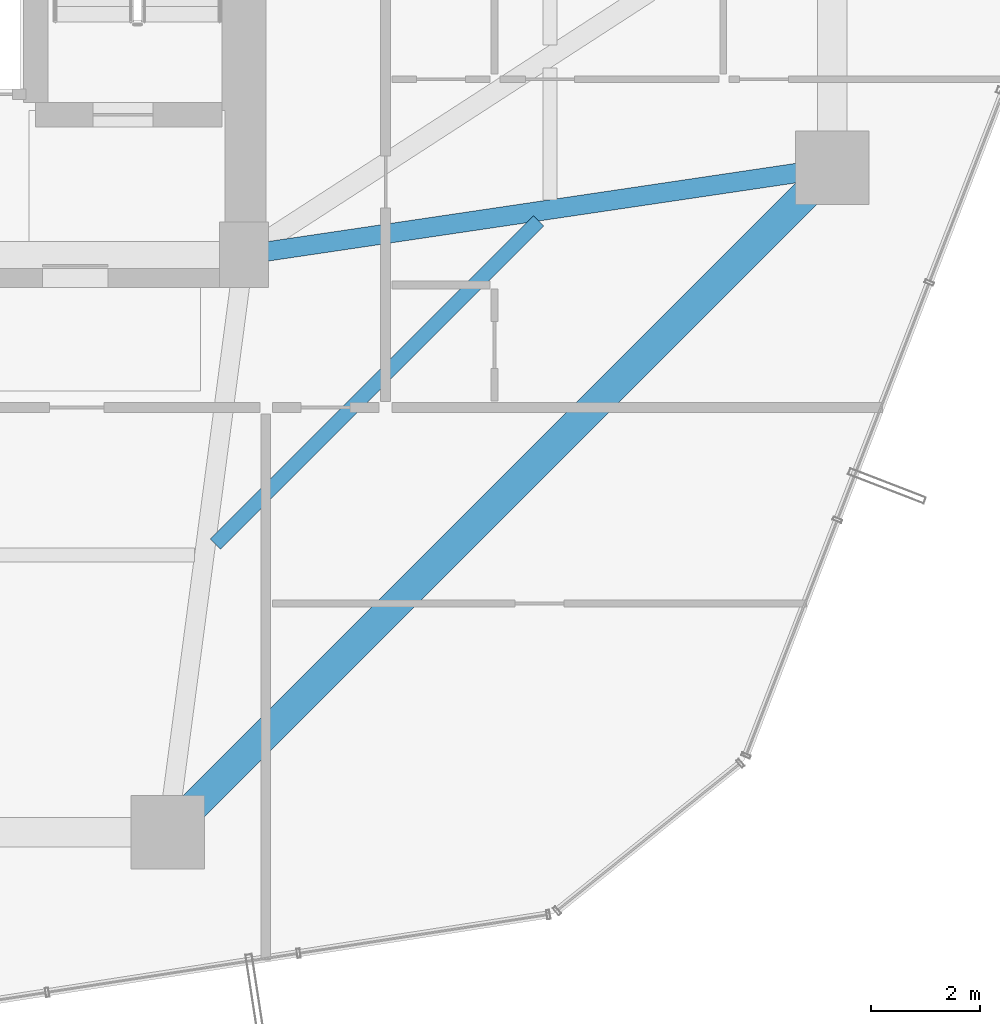
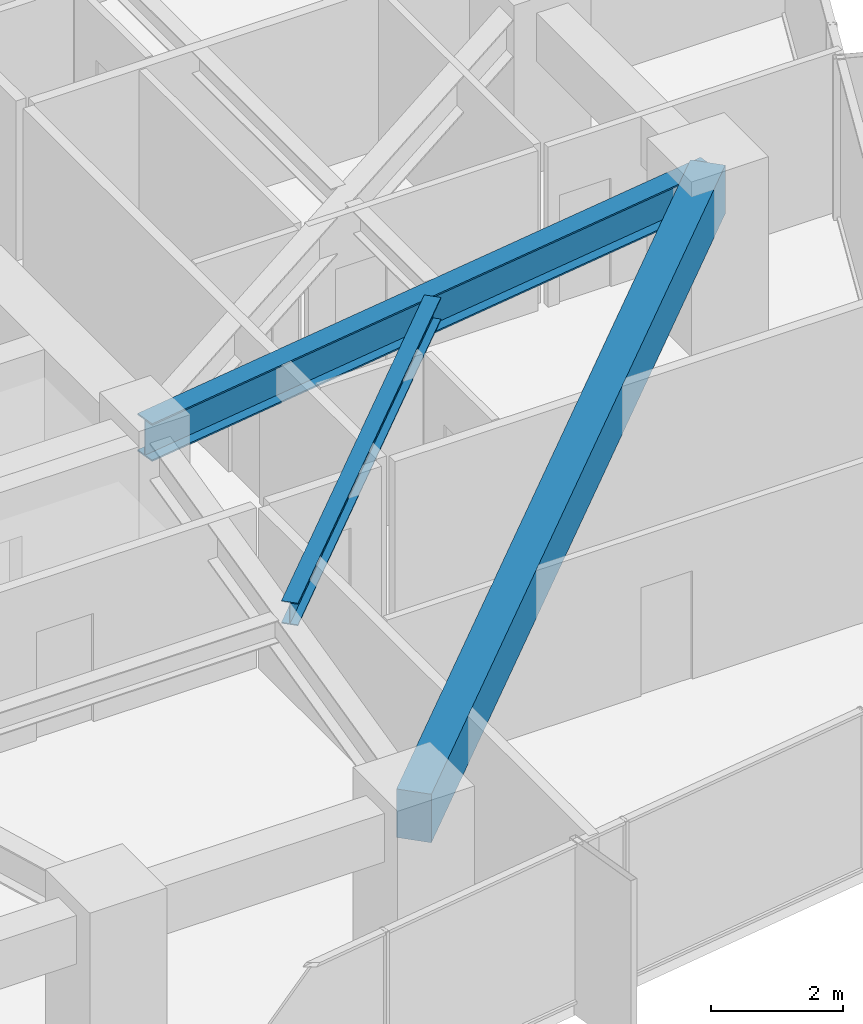
# One storey, part 15 of 37: 3 beams.
"""IFC4 building model written with IfcOpenShell, lengths in metres."""

import ifcopenshell
import ifcopenshell.guid

model = None  # the IFC model being written
_history = None  # IfcOwnerHistory: only IFC2X3 demands one
_inside = {}  # id of a spatial element -> (the spatial element, [elements in it])
_under = {}  # id of a project, library or spatial element -> (it, [spatial elements below it])
_declared = {}  # id of a project -> (the project, [libraries it declares])
_typed = {}  # id of a type object -> (the type object, [elements of that type])
_made_of = {}  # id of a material, layer set ... -> (it, [elements and type objects made of it])


def new_model(schema):
    """Start an empty IFC model of exactly this schema.

    Asked for "IFC4X3", IfcOpenShell would pick the latest addendum, in which some entities
    have other attributes; the version numbers below select the first issue.
    IFC2X3 requires an IfcOwnerHistory on every rooted entity: one is made here for all.
    """
    global model, _history
    if schema == "IFC4X3":
        model = ifcopenshell.file(schema_version=(4, 3, 0, 0))
    else:
        model = ifcopenshell.file(schema=schema)
    _inside.clear()
    _under.clear()
    _declared.clear()
    _typed.clear()
    _made_of.clear()
    _history = None
    if model.schema == "IFC2X3":
        org = make("IfcOrganization", Name="unknown")
        user = make(
            "IfcPersonAndOrganization",
            ThePerson=make("IfcPerson", FamilyName="unknown"),
            TheOrganization=org,
        )
        app = make(
            "IfcApplication",
            ApplicationDeveloper=org,
            Version="unknown",
            ApplicationFullName="unknown",
            ApplicationIdentifier="unknown",
        )
        _history = make(
            "IfcOwnerHistory",
            OwningUser=user,
            OwningApplication=app,
            ChangeAction="ADDED",
            CreationDate=0,
        )
    return model


def make(cls, **values):
    """One entity of the class cls with the attributes given. An attribute that is None is left unset."""
    return model.create_entity(
        cls, **{name: value for name, value in values.items() if value is not None}
    )


def rooted(cls, **values):
    """An entity with a GlobalId (a new one), such as an element, a storey or a relation."""
    return make(cls, GlobalId=ifcopenshell.guid.new(), OwnerHistory=_history, **values)


def si_unit(unit_type, name, prefix=None):
    """IfcSIUnit, for example si_unit("LENGTHUNIT", "METRE", prefix="MILLI")."""
    return make("IfcSIUnit", UnitType=unit_type, Prefix=prefix, Name=name)


def assignment(units):
    """IfcUnitAssignment: the units of a project."""
    return None if units is None else make("IfcUnitAssignment", Units=units)


def point(xyz):
    """IfcCartesianPoint."""
    return None if xyz is None else make("IfcCartesianPoint", Coordinates=xyz)


def direction(xyz):
    """IfcDirection."""
    return None if xyz is None else make("IfcDirection", DirectionRatios=xyz)


def frame(location, z_axis=None, x_axis=None):
    """IfcAxis2Placement3D, a coordinate frame: its origin and axes. An axis left out is left unset."""
    return make(
        "IfcAxis2Placement3D",
        Location=point(location),
        Axis=direction(z_axis),
        RefDirection=direction(x_axis),
    )


def frame_2d(location, x_axis=None):
    """IfcAxis2Placement2D, a coordinate frame in the plane: its origin and x axis."""
    return make(
        "IfcAxis2Placement2D", Location=point(location), RefDirection=direction(x_axis)
    )


def origin():
    """The frame at (0, 0, 0) with its axes left unset."""
    return frame((0.0, 0.0, 0.0))


def origin_2d():
    """The frame at (0, 0) in the plane with its x axis left unset."""
    return frame_2d((0.0, 0.0))


def place(relative_to, where):
    """IfcLocalPlacement: puts the frame where relative to a parent placement (None: the world)."""
    return make(
        "IfcLocalPlacement", PlacementRelTo=relative_to, RelativePlacement=where
    )


def context(
    kind, dimensions, precision=None, world=None, true_north=None, identifier=None
):
    """IfcGeometricRepresentationContext, for example the 3D "Model" context."""
    return make(
        "IfcGeometricRepresentationContext",
        ContextIdentifier=identifier,
        ContextType=kind,
        CoordinateSpaceDimension=dimensions,
        Precision=precision,
        WorldCoordinateSystem=world,
        TrueNorth=true_north,
    )


def subcontext(parent, identifier, kind, view, scale=None):
    """IfcGeometricRepresentationSubContext, for example "Body" below "Model"."""
    return make(
        "IfcGeometricRepresentationSubContext",
        ContextIdentifier=identifier,
        ContextType=kind,
        ParentContext=parent,
        TargetScale=scale,
        TargetView=view,
    )


def project(units=None, contexts=None):
    """IfcProject with its units and contexts."""
    return rooted(
        "IfcProject",
        Name="project",
        RepresentationContexts=contexts,
        UnitsInContext=assignment(units),
    )


def spatial(cls, under=None, at=None, **own):
    """A site, building, storey or space (cls), placed at a placement, below another one or the project."""
    s = rooted(cls, ObjectPlacement=at, **own)
    if under is not None:
        _under.setdefault(under.id(), (under, []))[1].append(s)
    return s


def profile(cls, at=None, kind="AREA", **sizes):
    """A parametric profile (cls). Its sizes go by their IFC names, for example OverallWidth=200.0."""
    return make(cls, ProfileType=kind, Position=at, **sizes)


def rectangle(**sizes):
    """IfcRectangleProfileDef."""
    return profile("IfcRectangleProfileDef", **sizes)


def i_section(**sizes):
    """IfcIShapeProfileDef."""
    return profile("IfcIShapeProfileDef", **sizes)


def extrude(swept, where, along, depth):
    """IfcExtrudedAreaSolid: the profile swept, set in the frame where, extruded along a direction by depth."""
    return make(
        "IfcExtrudedAreaSolid",
        SweptArea=swept,
        Position=where,
        ExtrudedDirection=direction(along),
        Depth=depth,
    )


def shape(context_of_items, identifier, shape_type, items):
    """IfcShapeRepresentation: the items that make up one representation, for example the "Body"."""
    return make(
        "IfcShapeRepresentation",
        ContextOfItems=context_of_items,
        RepresentationIdentifier=identifier,
        RepresentationType=shape_type,
        Items=items,
    )


def material(Name=None, Category=None):
    """IfcMaterial."""
    return make("IfcMaterial", Name=Name, Category=Category)


def material_profile(
    of_material, cross_section, Name=None, Category=None, Priority=None
):
    """IfcMaterialProfile: a cross section and its material."""
    return make(
        "IfcMaterialProfile",
        Name=Name,
        Material=of_material,
        Profile=cross_section,
        Priority=Priority,
        Category=Category,
    )


def profile_set(profiles, Name=None, composite=None):
    """IfcMaterialProfileSet."""
    return make(
        "IfcMaterialProfileSet",
        Name=Name,
        MaterialProfiles=profiles,
        CompositeProfile=composite,
    )


def made_of(thing, what):
    """Note that an element or type object is made of a material, layer set ...; save() writes the relation."""
    if what is not None:
        _made_of.setdefault(what.id(), (what, []))[1].append(thing)
    return thing


def type_object(cls, material=None, **own):
    """A type object (cls), such as IfcWallType, which elements share."""
    return made_of(rooted(cls, **own), material)


def element(
    cls,
    number,
    at=None,
    inside=None,
    cuts=None,
    type_object=None,
    material=None,
    context=None,
    identifier="Body",
    shape_type=None,
    held_by="IfcProductDefinitionShape",
    body=None,
    shapes=None,
    **own,
):
    """One element of the class cls, such as IfcWall. Its Tag is "e" and its number.

    at: its placement. inside: the storey or other place that contains it. cuts: it is an
    opening in that element (IfcRelVoidsElement). A single representation is given by context,
    identifier, shape_type and body (its items); several are given by shapes. held_by: the class
    of the entity that holds the representations. save() writes the other relations.
    """
    e = rooted(cls, Tag="e%d" % number, ObjectPlacement=at, **own)
    if body is not None:
        shapes = [shape(context, identifier, shape_type, body)]
    if shapes is not None:
        e.Representation = make(held_by, Representations=shapes)
    if inside is not None:
        _inside.setdefault(inside.id(), (inside, []))[1].append(e)
    if cuts is not None:
        rooted(
            "IfcRelVoidsElement", RelatingBuildingElement=cuts, RelatedOpeningElement=e
        )
    if type_object is not None:
        _typed.setdefault(type_object.id(), (type_object, []))[1].append(e)
    return made_of(e, material)


def aggregate(whole, parts):
    """IfcRelAggregates: a whole, such as a stair, and the parts it consists of."""
    return rooted("IfcRelAggregates", RelatingObject=whole, RelatedObjects=parts)


def save(model, path):
    """Write the relations noted so far, then the file.

    IfcRelAggregates (storeys below a building ...), IfcRelContainedInSpatialStructure (elements
    in a storey), IfcRelDefinesByType, IfcRelAssociatesMaterial and IfcRelDeclares: one each for
    every whole, place, type object, material and project.
    """
    for whole, parts in _under.values():
        aggregate(whole, parts)
    for where, things in _inside.values():
        rooted(
            "IfcRelContainedInSpatialStructure",
            RelatedElements=things,
            RelatingStructure=where,
        )
    for kind, things in _typed.values():
        rooted("IfcRelDefinesByType", RelatedObjects=things, RelatingType=kind)
    for what, things in _made_of.values():
        rooted("IfcRelAssociatesMaterial", RelatedObjects=things, RelatingMaterial=what)
    for by, libraries in _declared.values():
        rooted("IfcRelDeclares", RelatingContext=by, RelatedDefinitions=libraries)
    model.write(path)


model = new_model("IFC4")

# Units and contexts
model_context = context("Model", 3, precision=1e-05, world=origin(), true_north=direction((0.0, 1.0)))
body_context = subcontext(model_context, "Body", "Model", "MODEL_VIEW")
ifc_project = project(units=[si_unit("LENGTHUNIT", "METRE"), si_unit("AREAUNIT", "SQUARE_METRE"), si_unit("VOLUMEUNIT", "CUBIC_METRE"), si_unit("PLANEANGLEUNIT", "RADIAN"), si_unit("MASSUNIT", "GRAM", prefix="KILO")], contexts=[model_context])

# Site, building, storey
site_placement = place(None, origin())
site = spatial("IfcSite", under=ifc_project, at=site_placement, CompositionType="ELEMENT")
building_placement = place(site_placement, origin())
building = spatial("IfcBuilding", under=site, at=building_placement, Name="Veraguas Prism Commons", CompositionType="ELEMENT")
storey_placement = place(building_placement, frame((0.0, 0.0, 53.300048828125)))
storey = spatial("IfcBuildingStorey", under=building, at=storey_placement, Name="L14", CompositionType="ELEMENT", Elevation=53.300048828125)

# Beams
ifc_material_1 = material(Name="Steel ASTM A992 Grade 50", Category="steel")
ifc_material_profile_1 = material_profile(ifc_material_1, i_section(OverallWidth=0.260986328125, OverallDepth=0.419921875, WebThickness=0.01171875, FlangeThickness=0.019287109375, at=origin_2d()), Name="W410X114")
ifc_profile_set_1 = profile_set([ifc_material_profile_1], Name="Steel ASTM A992 Grade 50")
beam_type_1 = type_object("IfcBeamType", Name="Lower Floor Joist W410x114", PredefinedType="JOIST", material=ifc_profile_set_1)
beam_1_placement = place(storey_placement, frame((30.276611328125, 11.6923828125, 2.760009765625), z_axis=(0.707092226423, 0.70712133565, 0.0), x_axis=(-0.70712133565, 0.707092226423, 0.0)))
element("IfcBeam", 1, at=beam_1_placement, inside=storey, type_object=beam_type_1, Name="Composite Floor Joist L14-JS12", PredefinedType="JOIST", context=body_context, shape_type="SweptSolid", body=[
    extrude(i_section(OverallWidth=0.260986328125, OverallDepth=0.419921875, WebThickness=0.01171875, FlangeThickness=0.019287109375, at=origin_2d()), origin(), (0.0, 0.0, 1.0), 8.386962890625),
])
ifc_material_2 = material(Name="Concrete C50/60", Category="concrete")
ifc_material_profile_2 = material_profile(ifc_material_2, rectangle(XDim=0.550048828125, YDim=0.89990234375, at=origin_2d()), Name="RC550X900")
ifc_profile_set_2 = profile_set([ifc_material_profile_2], Name="Concrete C50/60")
beam_type_2 = type_object("IfcBeamType", Name="Perimeter Spandrel Lower RC 550x900", PredefinedType="SPANDREL", material=ifc_profile_set_2)
beam_2_placement = place(storey_placement, frame((29.39990234375, 6.39990234375, 2.52001953125), z_axis=(0.707106781187, 0.707106781187, 0.0), x_axis=(-0.707106781187, 0.707106781187, 0.0)))
element("IfcBeam", 2, at=beam_2_placement, inside=storey, type_object=beam_type_2, Name="Perimeter Spandrel Beam L14-SP12", PredefinedType="SPANDREL", context=body_context, shape_type="SweptSolid", body=[
    extrude(rectangle(XDim=0.550048828125, YDim=0.89990234375, at=origin_2d()), origin(), (0.0, 0.0, 1.0), 17.253662109375),
])
ifc_material_profile_3 = material_profile(ifc_material_1, i_section(OverallWidth=0.35595703125, OverallDepth=0.700927734375, WebThickness=0.016845703125, FlangeThickness=0.02734375, at=origin_2d()), Name="W690X240")
ifc_profile_set_3 = profile_set([ifc_material_profile_3], Name="Steel ASTM A992 Grade 50")
beam_type_3 = type_object("IfcBeamType", Name="Zone 1 Radial Girder W690x240", PredefinedType="BEAM", material=ifc_profile_set_3)
beam_3_placement = place(storey_placement, frame((41.60009765625, 18.60009765625, 2.619384765625), z_axis=(-0.989202261707, -0.146556765224, 0.0), x_axis=(0.146556765224, -0.989202261707, 0.0)))
element("IfcBeam", 3, at=beam_3_placement, inside=storey, type_object=beam_type_3, Name="Radial Floor Girder L14-RD01", PredefinedType="BEAM", context=body_context, shape_type="SweptSolid", body=[
    extrude(i_section(OverallWidth=0.35595703125, OverallDepth=0.700927734375, WebThickness=0.016845703125, FlangeThickness=0.02734375, at=origin_2d()), origin(), (0.0, 0.0, 1.0), 10.91796875),
])

save(model, "model.ifc")
